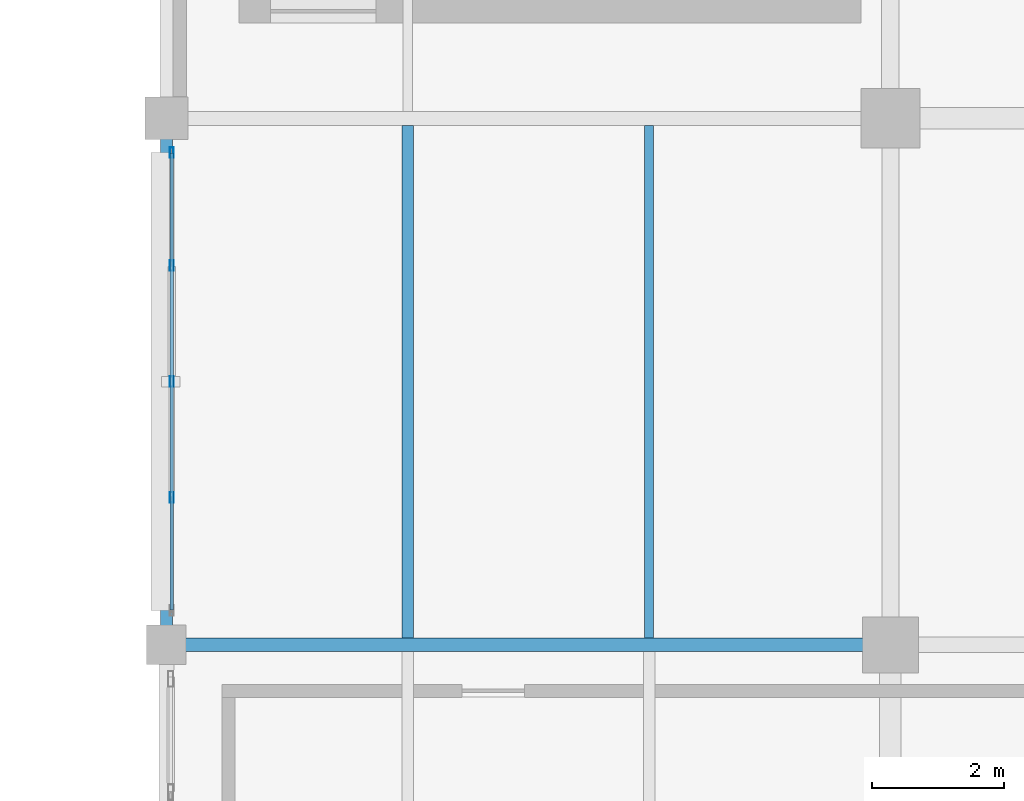
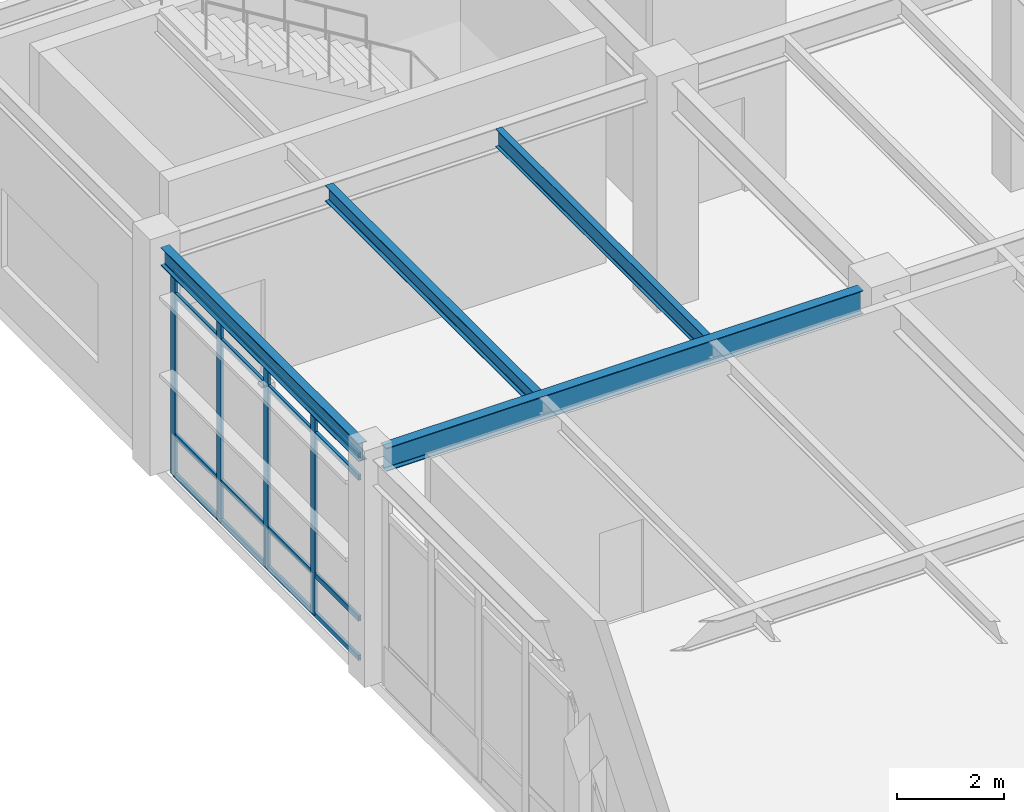
# One storey, part 61 of 203: 8 members, 4 beams, 1 element without a shape of its own.
"""IFC4 building model written with IfcOpenShell, lengths in metres."""

from ifc_helpers import new_model, si_unit, direction, frame, origin, origin_2d, place, context, subcontext, project, spatial, hollow_rectangle, i_section, extrude, material, material_profile, profile_set, type_object, element, aggregate, save


model = new_model("IFC4")

# Units and contexts
model_context = context("Model", 3, precision=1e-05, world=origin(), true_north=direction((0.0, 1.0)))
body_context = subcontext(model_context, "Body", "Model", "MODEL_VIEW")
ifc_project = project(units=[si_unit("LENGTHUNIT", "METRE"), si_unit("AREAUNIT", "SQUARE_METRE"), si_unit("VOLUMEUNIT", "CUBIC_METRE"), si_unit("PLANEANGLEUNIT", "RADIAN"), si_unit("MASSUNIT", "GRAM", prefix="KILO"), si_unit("THERMODYNAMICTEMPERATUREUNIT", "KELVIN"), si_unit("POWERUNIT", "WATT")], contexts=[model_context])

# Site, building, storey
site_placement = place(None, origin())
site = spatial("IfcSite", under=ifc_project, at=site_placement, CompositionType="ELEMENT")
building_placement = place(site_placement, origin())
building = spatial("IfcBuilding", under=site, at=building_placement, Name="Tepalcoro Natatorium and Aquatics Centre", CompositionType="ELEMENT")
storey_placement = place(building_placement, origin())
storey = spatial("IfcBuildingStorey", under=building, at=storey_placement, Name="L00", CompositionType="ELEMENT", Elevation=0.0)

# Beam
ifc_material_1 = material(Name="Steel ASTM A992 Grade 50 (Fy 345 MPa)", Category="steel")
ifc_material_profile_1 = material_profile(ifc_material_1, i_section(OverallWidth=0.2099609375, OverallDepth=0.532958984375, WebThickness=0.010009765625, FlangeThickness=0.01611328125, FilletRadius=0.013916015625, at=origin_2d()), Name="W21X62")
ifc_profile_set_1 = profile_set([ifc_material_profile_1], Name="Steel ASTM A992 Grade 50 (Fy 345 MPa)")
beam_type_1 = type_object("IfcBeamType", Name="BM_W21x62", PredefinedType="BEAM", material=ifc_profile_set_1)
beam_1_placement = place(storey_placement, frame((10.284912109375, 102.0, 4.87841796875), z_axis=(1.0, 0.0, 0.0), x_axis=(0.0, 1.0, 0.0)))
element("IfcBeam", 1, at=beam_1_placement, inside=storey, type_object=beam_type_1, Name="V4 L00 Grid Girder X", PredefinedType="BEAM", context=body_context, shape_type="SweptSolid", body=[
    extrude(i_section(OverallWidth=0.2099609375, OverallDepth=0.532958984375, WebThickness=0.010009765625, FlangeThickness=0.01611328125, FilletRadius=0.013916015625, at=origin_2d()), origin(), (0.0, 0.0, 1.0), 10.30517578125),
])

# Curtain wall, members
ifc_material_2 = material(Name="Bronze-Anodised Extruded Aluminium Alloy EN AW-6063 T6", Category="aluminium")
curtain_wall_type = type_object("IfcCurtainWallType", Name="CW_LEAN_T1_EW", PredefinedType="USERDEFINED", material=ifc_material_2)
curtain_wall_placement = place(storey_placement, origin())
curtain_wall = element("IfcCurtainWall", 2, at=curtain_wall_placement, inside=storey, type_object=curtain_wall_type, Name="V4 L00 W Unitised Curtain Wall Bay 3", ObjectType="FACETED SOLAR GLAZING", PredefinedType="USERDEFINED")
ifc_material_profile_2 = material_profile(ifc_material_2, hollow_rectangle(XDim=0.06005859375, YDim=0.159912109375, WallThickness=0.00390625, at=origin_2d()), Name="AL60X160X4")
ifc_profile_set_2 = profile_set([ifc_material_profile_2], Name="Bronze-Anodised Extruded Aluminium Alloy EN AW-6063 T6")
member_type_1 = type_object("IfcMemberType", Name="CW_MUL_60x160", PredefinedType="MULLION", material=ifc_profile_set_2)
member_1_placement = place(storey_placement, frame((10.080078125, 104.239990234375, 0.02001953125), z_axis=(0.0, 0.0, 1.0), x_axis=(1.0, 0.0, 0.0)))
member_1 = element("IfcMember", 3, at=member_1_placement, type_object=member_type_1, Name="CW_LEAN_T1_EW Curtain Wall Mullion", PredefinedType="MULLION", context=body_context, shape_type="SweptSolid", body=[
    extrude(hollow_rectangle(XDim=0.06005859375, YDim=0.159912109375, WallThickness=0.00390625, at=origin_2d()), origin(), (0.0, 0.0, 1.0), 4.677001953125),
])
member_2_placement = place(storey_placement, frame((10.080078125, 106.0, 0.02001953125), z_axis=(0.0, 0.0, 1.0), x_axis=(1.0, 0.0, 0.0)))
member_2 = element("IfcMember", 4, at=member_2_placement, type_object=member_type_1, Name="CW_LEAN_T1_EW Curtain Wall Mullion", PredefinedType="MULLION", context=body_context, shape_type="SweptSolid", body=[
    extrude(hollow_rectangle(XDim=0.06005859375, YDim=0.159912109375, WallThickness=0.00390625, at=origin_2d()), origin(), (0.0, 0.0, 1.0), 4.677001953125),
])
member_3_placement = place(storey_placement, frame((10.080078125, 107.760009765625, 0.02001953125), z_axis=(0.0, 0.0, 1.0), x_axis=(1.0, 0.0, 0.0)))
member_3 = element("IfcMember", 5, at=member_3_placement, type_object=member_type_1, Name="CW_LEAN_T1_EW Curtain Wall Mullion", PredefinedType="MULLION", context=body_context, shape_type="SweptSolid", body=[
    extrude(hollow_rectangle(XDim=0.06005859375, YDim=0.159912109375, WallThickness=0.00390625, at=origin_2d()), origin(), (0.0, 0.0, 1.0), 4.677001953125),
])
member_4_placement = place(storey_placement, frame((10.080078125, 109.47998046875, 0.02001953125), z_axis=(0.0, 0.0, 1.0), x_axis=(1.0, 0.0, 0.0)))
member_4 = element("IfcMember", 6, at=member_4_placement, type_object=member_type_1, Name="CW_LEAN_T1_EW Curtain Wall Mullion", PredefinedType="MULLION", context=body_context, shape_type="SweptSolid", body=[
    extrude(hollow_rectangle(XDim=0.06005859375, YDim=0.159912109375, WallThickness=0.00390625, at=origin_2d()), origin(), (0.0, 0.0, 1.0), 4.677001953125),
])
ifc_material_profile_3 = material_profile(ifc_material_2, hollow_rectangle(XDim=0.06005859375, YDim=0.1201171875, WallThickness=0.00390625, at=origin_2d()), Name="AL60X120X4")
ifc_profile_set_3 = profile_set([ifc_material_profile_3], Name="Bronze-Anodised Extruded Aluminium Alloy EN AW-6063 T6")
member_type_2 = type_object("IfcMemberType", Name="CW_TRN_60x120", PredefinedType="USERDEFINED", material=ifc_profile_set_3)
member_5_placement = place(storey_placement, frame((10.080078125, 102.530029296875, 0.050048828125), z_axis=(0.0, 1.0, 0.0), x_axis=(-1.0, 0.0, 0.0)))
member_5 = element("IfcMember", 7, at=member_5_placement, type_object=member_type_2, Name="CW_LEAN_T1_EW Curtain Wall Transom", ObjectType="TRANSOM", PredefinedType="USERDEFINED", context=body_context, shape_type="SweptSolid", body=[
    extrude(hollow_rectangle(XDim=0.06005859375, YDim=0.1201171875, WallThickness=0.00390625, at=origin_2d()), origin(), (0.0, 0.0, 1.0), 6.93994140625),
])
member_6_placement = place(storey_placement, frame((10.080078125, 102.530029296875, 0.949951171875), z_axis=(0.0, 1.0, 0.0), x_axis=(-1.0, 0.0, 0.0)))
member_6 = element("IfcMember", 8, at=member_6_placement, type_object=member_type_2, Name="CW_LEAN_T1_EW Curtain Wall Transom", ObjectType="TRANSOM", PredefinedType="USERDEFINED", context=body_context, shape_type="SweptSolid", body=[
    extrude(hollow_rectangle(XDim=0.06005859375, YDim=0.1201171875, WallThickness=0.00390625, at=origin_2d()), origin(), (0.0, 0.0, 1.0), 6.93994140625),
])
member_7_placement = place(storey_placement, frame((10.080078125, 102.530029296875, 4.1669921875), z_axis=(0.0, 1.0, 0.0), x_axis=(-1.0, 0.0, 0.0)))
member_7 = element("IfcMember", 9, at=member_7_placement, type_object=member_type_2, Name="CW_LEAN_T1_EW Curtain Wall Transom", ObjectType="TRANSOM", PredefinedType="USERDEFINED", context=body_context, shape_type="SweptSolid", body=[
    extrude(hollow_rectangle(XDim=0.06005859375, YDim=0.1201171875, WallThickness=0.00390625, at=origin_2d()), origin(), (0.0, 0.0, 1.0), 6.93994140625),
])
member_8_placement = place(storey_placement, frame((10.080078125, 102.530029296875, 4.6669921875), z_axis=(0.0, 1.0, 0.0), x_axis=(-1.0, 0.0, 0.0)))
member_8 = element("IfcMember", 10, at=member_8_placement, type_object=member_type_2, Name="CW_LEAN_T1_EW Curtain Wall Transom", ObjectType="TRANSOM", PredefinedType="USERDEFINED", context=body_context, shape_type="SweptSolid", body=[
    extrude(hollow_rectangle(XDim=0.06005859375, YDim=0.1201171875, WallThickness=0.00390625, at=origin_2d()), origin(), (0.0, 0.0, 1.0), 6.93994140625),
])
aggregate(curtain_wall, [member_1, member_2, member_3, member_4, member_5, member_6, member_7, member_8])

# Beams
ifc_material_profile_4 = material_profile(ifc_material_1, i_section(OverallWidth=0.172119140625, OverallDepth=0.35791015625, WebThickness=0.008056640625, FlangeThickness=0.012939453125, FilletRadius=0.013916015625, at=origin_2d()), Name="W14X38")
ifc_profile_set_4 = profile_set([ifc_material_profile_4], Name="Steel ASTM A992 Grade 50 (Fy 345 MPa)")
beam_type_2 = type_object("IfcBeamType", Name="JS_W14x38", PredefinedType="JOIST", material=ifc_profile_set_4)
beam_2_placement = place(storey_placement, frame((13.666748046875, 102.10498046875, 4.966064453125), z_axis=(0.0, 1.0, 0.0), x_axis=(-1.0, 0.0, 0.0)))
element("IfcBeam", 11, at=beam_2_placement, inside=storey, type_object=beam_type_2, Name="V4 L00 Floor Joist", PredefinedType="JOIST", context=body_context, shape_type="SweptSolid", body=[
    extrude(i_section(OverallWidth=0.172119140625, OverallDepth=0.35791015625, WebThickness=0.008056640625, FlangeThickness=0.012939453125, FilletRadius=0.013916015625, at=origin_2d()), origin(), (0.0, 0.0, 1.0), 7.7890625),
])
ifc_material_profile_5 = material_profile(ifc_material_1, i_section(OverallWidth=0.139892578125, OverallDepth=0.404052734375, WebThickness=0.007080078125, FlangeThickness=0.010986328125, FilletRadius=0.013916015625, at=origin_2d()), Name="W16X31")
ifc_profile_set_5 = profile_set([ifc_material_profile_5], Name="Steel ASTM A992 Grade 50 (Fy 345 MPa)")
beam_type_3 = type_object("IfcBeamType", Name="JS_W16x31", PredefinedType="JOIST", material=ifc_profile_set_5)
beam_3_placement = place(storey_placement, frame((17.333251953125, 102.10498046875, 4.943115234375), z_axis=(0.0, 1.0, 0.0), x_axis=(-1.0, 0.0, 0.0)))
element("IfcBeam", 12, at=beam_3_placement, inside=storey, type_object=beam_type_3, Name="V4 L00 Floor Joist", PredefinedType="JOIST", context=body_context, shape_type="SweptSolid", body=[
    extrude(i_section(OverallWidth=0.139892578125, OverallDepth=0.404052734375, WebThickness=0.007080078125, FlangeThickness=0.010986328125, FilletRadius=0.013916015625, at=origin_2d()), origin(), (0.0, 0.0, 1.0), 7.7890625),
])
ifc_material_profile_6 = material_profile(ifc_material_1, i_section(OverallWidth=0.179931640625, OverallDepth=0.4130859375, WebThickness=0.010009765625, FlangeThickness=0.01611328125, FilletRadius=0.013916015625, at=origin_2d()), Name="W16X50")
ifc_profile_set_6 = profile_set([ifc_material_profile_6], Name="Steel ASTM A992 Grade 50 (Fy 345 MPa)")
beam_type_4 = type_object("IfcBeamType", Name="SP_HSS300x200x12", PredefinedType="SPANDREL", material=ifc_profile_set_6)
beam_4_placement = place(storey_placement, frame((10.0, 102.284912109375, 4.9384765625), z_axis=(0.0, 1.0, 0.0), x_axis=(-1.0, 0.0, 0.0)))
element("IfcBeam", 13, at=beam_4_placement, inside=storey, type_object=beam_type_4, Name="V4 L00 Grid Girder Y", PredefinedType="SPANDREL", context=body_context, shape_type="SweptSolid", body=[
    extrude(i_section(OverallWidth=0.179931640625, OverallDepth=0.4130859375, WebThickness=0.010009765625, FlangeThickness=0.01611328125, FilletRadius=0.013916015625, at=origin_2d()), origin(), (0.0, 0.0, 1.0), 7.405029296875),
])

save(model, "model.ifc")
